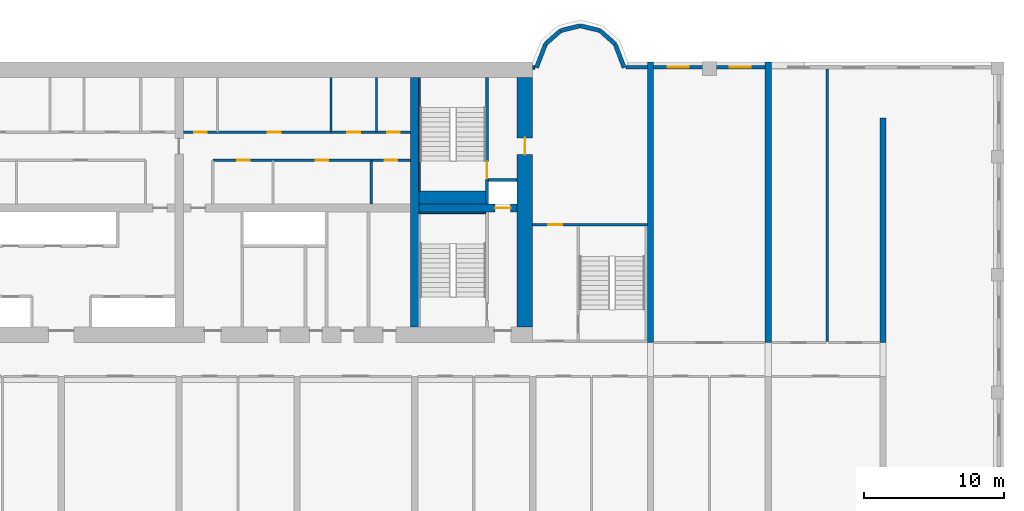
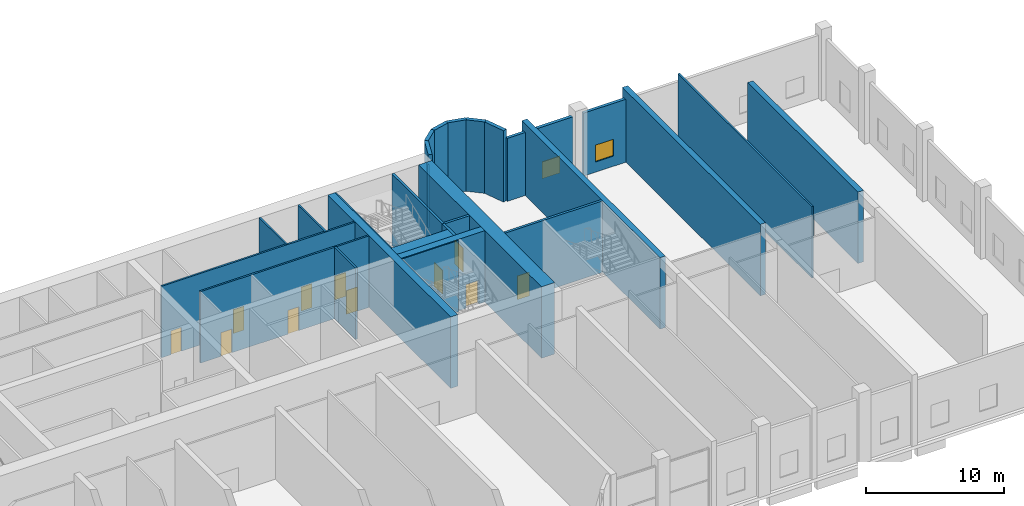
# One storey, part 13 of 15: 29 walls, 11 doors, 2 windows, 13 openings.
"""IFC4 building model written with IfcOpenShell, lengths in metres."""

from ifc_helpers import new_model, si_unit, direction, frame, frame_2d, origin, place, context, subcontext, project, spatial, rectangle, extrude, source, transform, mapped, material, layer, layer_set, type_object, element, fill, save


model = new_model("IFC4")

# Units and contexts
model_context = context("Model", 3, precision=1e-05, world=origin(), true_north=direction((0.0, 1.0)))
body_context = subcontext(model_context, "Body", "Model", "MODEL_VIEW")
ifc_project = project(units=[si_unit("LENGTHUNIT", "METRE"), si_unit("AREAUNIT", "SQUARE_METRE"), si_unit("VOLUMEUNIT", "CUBIC_METRE"), si_unit("PLANEANGLEUNIT", "RADIAN"), si_unit("MASSUNIT", "GRAM", prefix="KILO")], contexts=[model_context])

# Site, building, storey
site_placement = place(None, origin())
site = spatial("IfcSite", under=ifc_project, at=site_placement, CompositionType="ELEMENT")
building_placement = place(site_placement, origin())
building = spatial("IfcBuilding", under=site, at=building_placement, Name="Vanashikhar Sky Hotel", CompositionType="ELEMENT")
storey_placement = place(building_placement, frame((0.0, 0.0, 11.39990234375)))
storey = spatial("IfcBuildingStorey", under=building, at=storey_placement, Name="L02", CompositionType="ELEMENT", Elevation=11.39990234375)

# Wall, opening, door
ifc_material_1 = material(Name="Concrete M80", Category="concrete")
ifc_layer_1 = layer(ifc_material_1, 1.10009765625)
ifc_layer_set_1 = layer_set([ifc_layer_1], Name="RC core shell wall 1100 Concrete M80")
wall_type_1 = type_object("IfcWallType", Name="RC core shell wall 1100 Concrete M80", PredefinedType="SHEAR", material=ifc_layer_set_1)
shared_shape_1 = source(origin(), body_context, "Body", "SweptSolid", [
    extrude(rectangle(XDim=17.7998046875, YDim=1.10009765625, at=frame_2d((8.89990234375, 0.0))), origin(), (0.0, 0.0, 1.0), 6.320068359375),
])
wall_1_placement = place(storey_placement, frame((75.050048828125, 23.10009765625, 0.0), z_axis=(0.0, 0.0, 1.0), x_axis=(0.0, 1.0, 0.0)))
wall_1 = element("IfcWall", 1, at=wall_1_placement, inside=storey, type_object=wall_type_1, Name="KW-L02-KE", PredefinedType="SHEAR", context=body_context, shape_type="MappedRepresentation", body=[
    mapped(shared_shape_1, transform((0.0, 0.0, 0.0), scale=1.0)),
])
shared_shape_2 = source(origin(), body_context, "Body", "SweptSolid", [
    extrude(rectangle(XDim=1.199951171875, YDim=2.10009765625, at=frame_2d((0.60009765625, 1.050048828125))), frame((0.0, 0.56005859375, 0.0), z_axis=(0.0, -1.0, 0.0), x_axis=(1.0, 0.0, 0.0)), (0.0, 0.0, 1.0), 1.1201171875),
])
opening_1_placement = place(wall_1_placement, frame((12.300048828125, 0.0, 0.0)))
opening_1 = element("IfcOpeningElement", 2, at=opening_1_placement, cuts=wall_1, Name="Opening DC-4-D", PredefinedType="OPENING", context=body_context, shape_type="MappedRepresentation", body=[
    mapped(shared_shape_2, transform((0.0, 0.0, 0.0), scale=1.0)),
])
ifc_material_2 = material(Name="Steel", Category="steel")
door_type_1 = type_object("IfcDoorType", Name="Service door 1200 FD120", OperationType="NOTDEFINED", PredefinedType="DOOR", material=ifc_material_2)
shared_shape_3 = source(origin(), body_context, "Body", "SweptSolid", [
    extrude(rectangle(XDim=1.199951171875, YDim=2.10009765625, at=frame_2d((0.60009765625, 1.050048828125))), frame((0.0, 0.02490234375, 0.0), z_axis=(0.0, -1.0, 0.0), x_axis=(1.0, 0.0, 0.0)), (0.0, 0.0, 1.0), 0.050048828125),
])
door_1_placement = place(opening_1_placement, origin())
door_1 = element("IfcDoor", 3, at=door_1_placement, inside=storey, type_object=door_type_1, Name="Service door 1200 FD120", OperationType="SINGLE_SWING_RIGHT", OverallHeight=2.10009765625, OverallWidth=1.199951171875, PredefinedType="DOOR", context=body_context, shape_type="MappedRepresentation", body=[
    mapped(shared_shape_3, transform((0.0, 0.0, 0.0), scale=1.0)),
])
fill(opening_1, door_1)

# Wall
ifc_layer_2 = layer(ifc_material_1, 0.60009765625)
ifc_layer_set_2 = layer_set([ifc_layer_2], Name="RC core inner wall 600 Concrete M80")
wall_type_2 = type_object("IfcWallType", Name="RC core inner wall 600 Concrete M80", PredefinedType="SHEAR", material=ifc_layer_set_2)
shared_shape_4 = source(origin(), body_context, "Body", "SweptSolid", [
    extrude(rectangle(XDim=17.7998046875, YDim=0.60009765625, at=frame_2d((8.89990234375, 0.0))), origin(), (0.0, 0.0, 1.0), 6.320068359375),
])
wall_2_placement = place(storey_placement, frame((67.199951171875, 23.10009765625, 0.0), z_axis=(0.0, 0.0, 1.0), x_axis=(0.0, 1.0, 0.0)))
element("IfcWall", 4, at=wall_2_placement, inside=storey, type_object=wall_type_2, Name="KW-L02-KX3", PredefinedType="SHEAR", context=body_context, shape_type="MappedRepresentation", body=[
    mapped(shared_shape_4, transform((0.0, 0.0, 0.0), scale=1.0)),
])

# Wall, opening, door
shared_shape_5 = source(origin(), body_context, "Body", "SweptSolid", [
    extrude(rectangle(XDim=7.0, YDim=0.60009765625, at=frame_2d((3.5, 0.0))), origin(), (0.0, 0.0, 1.0), 6.320068359375),
])
wall_3_placement = place(storey_placement, frame((67.5, 31.60009765625, 0.0), z_axis=(0.0, 0.0, 1.0), x_axis=(1.0, 0.0, 0.0)))
wall_3 = element("IfcWall", 5, at=wall_3_placement, inside=storey, type_object=wall_type_2, Name="KW-L02-KY4", PredefinedType="SHEAR", context=body_context, shape_type="MappedRepresentation", body=[
    mapped(shared_shape_5, transform((0.0, 0.0, 0.0), scale=1.0)),
])
shared_shape_6 = source(origin(), body_context, "Body", "SweptSolid", [
    extrude(rectangle(XDim=1.10009765625, YDim=2.10009765625, at=frame_2d((0.550048828125, 1.050048828125))), frame((0.0, 0.31005859375, 0.0), z_axis=(0.0, -1.0, 0.0), x_axis=(1.0, 0.0, 0.0)), (0.0, 0.0, 1.0), 0.6201171875),
])
opening_2_placement = place(wall_3_placement, frame((5.425048828125, 0.0, 0.0)))
opening_2 = element("IfcOpeningElement", 6, at=opening_2_placement, cuts=wall_3, Name="Opening LD", PredefinedType="OPENING", context=body_context, shape_type="MappedRepresentation", body=[
    mapped(shared_shape_6, transform((0.0, 0.0, 0.0), scale=1.0)),
])
ifc_material_3 = material(Name="Stainless steel", Category="steel")
door_type_2 = type_object("IfcDoorType", Name="Lift landing door 1100", OperationType="NOTDEFINED", PredefinedType="DOOR", material=ifc_material_3)
shared_shape_7 = source(origin(), body_context, "Body", "SweptSolid", [
    extrude(rectangle(XDim=1.10009765625, YDim=2.10009765625, at=frame_2d((0.550048828125, 1.050048828125))), frame((0.0, 0.02490234375, 0.0), z_axis=(0.0, -1.0, 0.0), x_axis=(1.0, 0.0, 0.0)), (0.0, 0.0, 1.0), 0.050048828125),
])
door_2_placement = place(opening_2_placement, origin())
door_2 = element("IfcDoor", 7, at=door_2_placement, inside=storey, type_object=door_type_2, Name="Lift landing door 1100", OperationType="SLIDING_TO_RIGHT", OverallHeight=2.10009765625, OverallWidth=1.10009765625, PredefinedType="DOOR", context=body_context, shape_type="MappedRepresentation", body=[
    mapped(shared_shape_7, transform((0.0, 0.0, 0.0), scale=1.0)),
])
fill(opening_2, door_2)

# Walls
ifc_layer_3 = layer(ifc_material_1, 0.449951171875)
ifc_layer_set_3 = layer_set([ifc_layer_3], Name="RC shear wall 450 Concrete M80")
wall_type_3 = type_object("IfcWallType", Name="RC shear wall 450 Concrete M80", PredefinedType="SHEAR", material=ifc_layer_set_3)
shared_shape_8 = source(origin(), body_context, "Body", "SweptSolid", [
    extrude(rectangle(XDim=16.0, YDim=0.449951171875, at=frame_2d((8.0, 0.0))), origin(), (0.0, 0.0, 1.0), 6.320068359375),
])
wall_4_placement = place(storey_placement, frame((100.574951171875, 22.0, 0.0), z_axis=(0.0, 0.0, 1.0), x_axis=(0.0, 1.0, 0.0)))
element("IfcWall", 8, at=wall_4_placement, inside=storey, type_object=wall_type_3, Name="CW-L02-XW13-2", PredefinedType="SHEAR", context=body_context, shape_type="MappedRepresentation", body=[
    mapped(shared_shape_8, transform((0.0, 0.0, 0.0), scale=1.0)),
])
shared_shape_9 = source(origin(), body_context, "Body", "SweptSolid", [
    extrude(rectangle(XDim=20.0, YDim=0.449951171875, at=frame_2d((10.0, 0.0))), origin(), (0.0, 0.0, 1.0), 6.320068359375),
])
for number, where, z_axis, x_axis, name in (
    (9, (84.0, 22.0, 0.0), (0.0, 0.0, 1.0), (0.0, 1.0, 0.0), "CW-L02-XW11-2"),
    (10, (92.39990234375, 22.0, 0.0), (0.0, 0.0, 1.0), (0.0, 1.0, 0.0), "CW-L02-XW12-2"),
):
    element("IfcWall", number, at=place(storey_placement, frame(where, z_axis=z_axis, x_axis=x_axis)), inside=storey, type_object=wall_type_3, Name=name, PredefinedType="SHEAR", context=body_context, shape_type="MappedRepresentation", body=[
        mapped(shared_shape_9, transform((0.0, 0.0, 0.0), scale=1.0)),
    ])

# Wall, opening, window
ifc_material_4 = material(Name="Concrete M50", Category="concrete")
ifc_layer_4 = layer(ifc_material_4, 0.25)
ifc_layer_set_4 = layer_set([ifc_layer_4], Name="Rear and end board-marked wall 250")
wall_type_4 = type_object("IfcWallType", Name="Rear and end board-marked wall 250", PredefinedType="SOLIDWALL", material=ifc_layer_set_4)
shared_shape_10 = source(origin(), body_context, "Body", "SweptSolid", [
    extrude(rectangle(XDim=3.525146484375, YDim=0.25, at=frame_2d((1.7626953125, 0.0))), origin(), (0.0, 0.0, 1.0), 5.570068359375),
])
wall_5_placement = place(storey_placement, frame((92.175048828125, 41.625, 0.0), z_axis=(0.0, 0.0, 1.0), x_axis=(-1.0, 0.0, 0.0)))
wall_5 = element("IfcWall", 11, at=wall_5_placement, inside=storey, type_object=wall_type_4, Name="Podium external wall", PredefinedType="SOLIDWALL", context=body_context, shape_type="MappedRepresentation", body=[
    mapped(shared_shape_10, transform((0.0, 0.0, 0.0), scale=1.0)),
])
shared_shape_11 = source(origin(), body_context, "Body", "SweptSolid", [
    extrude(rectangle(XDim=1.5, YDim=1.5, at=frame_2d((0.75, 0.75))), frame((0.0, 0.135009765625, 0.0), z_axis=(0.0, -1.0, 0.0), x_axis=(1.0, 0.0, 0.0)), (0.0, 0.0, 1.0), 0.27001953125),
])
opening_3_placement = place(wall_5_placement, frame((1.012451171875, 0.0, 0.89990234375)))
opening_3 = element("IfcOpeningElement", 12, at=opening_3_placement, cuts=wall_5, Name="Opening WN-1", PredefinedType="OPENING", context=body_context, shape_type="MappedRepresentation", body=[
    mapped(shared_shape_11, transform((0.0, 0.0, 0.0), scale=1.0)),
])
ifc_material_5 = material(Name="Glass", Category="glass")
window_type = type_object("IfcWindowType", Name="Window 1500 x 1500", PartitioningType="SINGLE_PANEL", PredefinedType="WINDOW", material=ifc_material_5)
shared_shape_12 = source(origin(), body_context, "Body", "SweptSolid", [
    extrude(rectangle(XDim=1.5, YDim=1.5, at=frame_2d((0.75, 0.75))), frame((0.0, 0.030029296875, 0.0), z_axis=(0.0, -1.0, 0.0), x_axis=(1.0, 0.0, 0.0)), (0.0, 0.0, 1.0), 0.06005859375),
])
window_1_placement = place(opening_3_placement, origin())
window_1 = element("IfcWindow", 13, at=window_1_placement, inside=storey, type_object=window_type, Name="Window WN-1", OverallHeight=1.5, OverallWidth=1.5, PartitioningType="SINGLE_PANEL", PredefinedType="WINDOW", context=body_context, shape_type="MappedRepresentation", body=[
    mapped(shared_shape_12, transform((0.0, 0.0, 0.0), scale=1.0)),
])
fill(opening_3, window_1)

shared_shape_13 = source(origin(), body_context, "Body", "SweptSolid", [
    extrude(rectangle(XDim=3.52490234375, YDim=0.25, at=frame_2d((1.762451171875, 0.0))), origin(), (0.0, 0.0, 1.0), 5.570068359375),
])
wall_6_placement = place(storey_placement, frame((87.75, 41.625, 0.0), z_axis=(0.0, 0.0, 1.0), x_axis=(-1.0, 0.0, 0.0)))
wall_6 = element("IfcWall", 14, at=wall_6_placement, inside=storey, type_object=wall_type_4, Name="Podium external wall", PredefinedType="SOLIDWALL", context=body_context, shape_type="MappedRepresentation", body=[
    mapped(shared_shape_13, transform((0.0, 0.0, 0.0), scale=1.0)),
])
opening_4_placement = place(wall_6_placement, frame((1.012451171875, 0.0, 0.89990234375)))
opening_4 = element("IfcOpeningElement", 15, at=opening_4_placement, cuts=wall_6, Name="Opening WN-1", PredefinedType="OPENING", context=body_context, shape_type="MappedRepresentation", body=[
    mapped(shared_shape_11, transform((0.0, 0.0, 0.0), scale=1.0)),
])
window_2_placement = place(opening_4_placement, origin())
window_2 = element("IfcWindow", 16, at=window_2_placement, inside=storey, type_object=window_type, Name="Window WN-1", OverallHeight=1.5, OverallWidth=1.5, PartitioningType="SINGLE_PANEL", PredefinedType="WINDOW", context=body_context, shape_type="MappedRepresentation", body=[
    mapped(shared_shape_12, transform((0.0, 0.0, 0.0), scale=1.0)),
])
fill(opening_4, window_2)

# Walls
shared_shape_14 = source(origin(), body_context, "Body", "SweptSolid", [
    extrude(rectangle(XDim=1.5126953125, YDim=0.25, at=frame_2d((0.75634765625, 0.0))), origin(), (0.0, 0.0, 1.0), 5.570068359375),
])
wall_7_placement = place(storey_placement, frame((83.77490234375, 41.625, 0.0), z_axis=(0.0, 0.0, 1.0), x_axis=(-1.0, 0.0, 0.0)))
element("IfcWall", 17, at=wall_7_placement, inside=storey, type_object=wall_type_4, Name="Podium external wall", PredefinedType="SOLIDWALL", context=body_context, shape_type="MappedRepresentation", body=[
    mapped(shared_shape_14, transform((0.0, 0.0, 0.0), scale=1.0)),
])
ifc_layer_5 = layer(ifc_material_4, 0.300048828125)
ifc_layer_set_5 = layer_set([ifc_layer_5], Name="Lobe wall 300")
wall_type_5 = type_object("IfcWallType", Name="Lobe wall 300", PredefinedType="SOLIDWALL", material=ifc_layer_set_5)
shared_shape_15 = source(origin(), body_context, "Body", "SweptSolid", [
    extrude(rectangle(XDim=1.81201171875, YDim=0.300048828125, at=frame_2d((0.906005859375, 0.0))), origin(), (0.0, 0.0, 1.0), 6.320068359375),
])
for number, where, z_axis, x_axis, name in (
    (18, (82.125, 41.60009765625, 0.0), (0.0, 0.0, 1.0), (-0.357877270961, 0.93376863244, 0.0), "Lobe wall"),
    (19, (76.5234375, 43.2919921875, 0.0), (0.0, 0.0, 1.0), (-0.357877270961, -0.93376863244, 0.0), "Lobe wall"),
):
    element("IfcWall", number, at=place(storey_placement, frame(where, z_axis=z_axis, x_axis=x_axis)), inside=storey, type_object=wall_type_5, Name=name, PredefinedType="SOLIDWALL", context=body_context, shape_type="MappedRepresentation", body=[
        mapped(shared_shape_15, transform((0.0, 0.0, 0.0), scale=1.0)),
    ])
shared_shape_16 = source(origin(), body_context, "Body", "SweptSolid", [
    extrude(rectangle(XDim=1.43994140625, YDim=0.300048828125, at=frame_2d((0.719970703125, 0.0))), origin(), (0.0, 0.0, 1.0), 6.320068359375),
])
for number, where, z_axis, x_axis, name in (
    (20, (81.4765625, 43.2919921875, 0.0), (0.0, 0.0, 1.0), (-0.74957555648, 0.661918790432, 0.0), "Lobe wall"),
    (21, (77.602783203125, 44.2451171875, 0.0), (0.0, 0.0, 1.0), (-0.74957555648, -0.661918790432, 0.0), "Lobe wall"),
):
    element("IfcWall", number, at=place(storey_placement, frame(where, z_axis=z_axis, x_axis=x_axis)), inside=storey, type_object=wall_type_5, Name=name, PredefinedType="SOLIDWALL", context=body_context, shape_type="MappedRepresentation", body=[
        mapped(shared_shape_16, transform((0.0, 0.0, 0.0), scale=1.0)),
    ])
shared_shape_17 = source(origin(), body_context, "Body", "SweptSolid", [
    extrude(rectangle(XDim=1.438720703125, YDim=0.300048828125, at=frame_2d((0.71923828125, 0.0))), origin(), (0.0, 0.0, 1.0), 6.320068359375),
])
for number, where, z_axis, x_axis, name in (
    (22, (80.397216796875, 44.2451171875, 0.0), (0.0, 0.0, 1.0), (-0.971161932466, 0.238420848351, 0.0), "Lobe wall"),
    (23, (79.0, 44.588134765625, 0.0), (0.0, 0.0, 1.0), (-0.971161932466, -0.238420848351, 0.0), "Lobe wall"),
):
    element("IfcWall", number, at=place(storey_placement, frame(where, z_axis=z_axis, x_axis=x_axis)), inside=storey, type_object=wall_type_5, Name=name, PredefinedType="SOLIDWALL", context=body_context, shape_type="MappedRepresentation", body=[
        mapped(shared_shape_17, transform((0.0, 0.0, 0.0), scale=1.0)),
    ])
shared_shape_18 = source(origin(), body_context, "Body", "SweptSolid", [
    extrude(rectangle(XDim=0.1376953125, YDim=0.25, at=frame_2d((0.06884765625, 0.0))), origin(), (0.0, 0.0, 1.0), 5.570068359375),
])
wall_8_placement = place(storey_placement, frame((75.73779296875, 41.625, 0.0), z_axis=(0.0, 0.0, 1.0), x_axis=(-1.0, 0.0, 0.0)))
element("IfcWall", 24, at=wall_8_placement, inside=storey, type_object=wall_type_4, Name="Podium external wall", PredefinedType="SOLIDWALL", context=body_context, shape_type="MappedRepresentation", body=[
    mapped(shared_shape_18, transform((0.0, 0.0, 0.0), scale=1.0)),
])
ifc_material_6 = material(Name="Gypsum board partition")
ifc_layer_6 = layer(ifc_material_6, 0.14990234375)
ifc_layer_set_6 = layer_set([ifc_layer_6], Name="Service partition 150")
wall_type_6 = type_object("IfcWallType", Name="Service partition 150", PredefinedType="PARTITIONING", material=ifc_layer_set_6)
shared_shape_19 = source(origin(), body_context, "Body", "SweptSolid", [
    extrude(rectangle(XDim=3.10009765625, YDim=0.14990234375, at=frame_2d((1.550048828125, 0.0))), origin(), (0.0, 0.0, 1.0), 6.320068359375),
])
wall_9_placement = place(storey_placement, frame((64.094970703125, 31.89990234375, 0.0), z_axis=(0.0, 0.0, 1.0), x_axis=(0.0, 1.0, 0.0)))
element("IfcWall", 25, at=wall_9_placement, inside=storey, type_object=wall_type_6, Name="Service partition 150", PredefinedType="PARTITIONING", context=body_context, shape_type="MappedRepresentation", body=[
    mapped(shared_shape_19, transform((0.0, 0.0, 0.0), scale=1.0)),
])
shared_shape_20 = source(origin(), body_context, "Body", "SweptSolid", [
    extrude(rectangle(XDim=3.89990234375, YDim=0.14990234375, at=frame_2d((1.949951171875, 0.0))), origin(), (0.0, 0.0, 1.0), 6.320068359375),
])
for number, where, z_axis, x_axis, name in (
    (26, (64.469970703125, 37.0, 0.0), (0.0, 0.0, 1.0), (0.0, 1.0, 0.0), "Service partition 150"),
    (27, (61.22998046875, 37.0, 0.0), (0.0, 0.0, 1.0), (0.0, 1.0, 0.0), "Service partition 150"),
):
    element("IfcWall", number, at=place(storey_placement, frame(where, z_axis=z_axis, x_axis=x_axis)), inside=storey, type_object=wall_type_6, Name=name, PredefinedType="PARTITIONING", context=body_context, shape_type="MappedRepresentation", body=[
        mapped(shared_shape_20, transform((0.0, 0.0, 0.0), scale=1.0)),
    ])

# Wall, openings, doors
shared_shape_21 = source(origin(), body_context, "Body", "SweptSolid", [
    extrude(rectangle(XDim=14.099853515625, YDim=0.14990234375, at=frame_2d((7.0498046875, 0.0))), origin(), (0.0, 0.0, 1.0), 6.320068359375),
])
wall_10_placement = place(storey_placement, frame((66.89990234375, 35.0, 0.0), z_axis=(0.0, 0.0, 1.0), x_axis=(-1.0, 0.0, 0.0)))
wall_10 = element("IfcWall", 28, at=wall_10_placement, inside=storey, type_object=wall_type_6, Name="Service partition 150", PredefinedType="PARTITIONING", context=body_context, shape_type="MappedRepresentation", body=[
    mapped(shared_shape_21, transform((0.0, 0.0, 0.0), scale=1.0)),
])
shared_shape_22 = source(origin(), body_context, "Body", "SweptSolid", [
    extrude(rectangle(XDim=0.89990234375, YDim=2.10009765625, at=frame_2d((0.449951171875, 1.050048828125))), frame((0.0, 0.0849609375, 0.0), z_axis=(0.0, -1.0, 0.0), x_axis=(1.0, 0.0, 0.0)), (0.0, 0.0, 1.0), 0.169921875),
])
opening_5_placement = place(wall_10_placement, frame((0.951904296875, 0.0, 0.0)))
opening_5 = element("IfcOpeningElement", 29, at=opening_5_placement, cuts=wall_10, Name="Opening DC-4-A", PredefinedType="OPENING", context=body_context, shape_type="MappedRepresentation", body=[
    mapped(shared_shape_22, transform((0.0, 0.0, 0.0), scale=1.0)),
])
opening_6_placement = place(wall_10_placement, frame((5.861083984375, 0.0, 0.0)))
opening_6 = element("IfcOpeningElement", 30, at=opening_6_placement, cuts=wall_10, Name="Opening DC-4-A", PredefinedType="OPENING", context=body_context, shape_type="MappedRepresentation", body=[
    mapped(shared_shape_22, transform((0.0, 0.0, 0.0), scale=1.0)),
])
opening_7_placement = place(wall_10_placement, frame((11.470947265625, 0.0, 0.0)))
opening_7 = element("IfcOpeningElement", 31, at=opening_7_placement, cuts=wall_10, Name="Opening DC-4-A", PredefinedType="OPENING", context=body_context, shape_type="MappedRepresentation", body=[
    mapped(shared_shape_22, transform((0.0, 0.0, 0.0), scale=1.0)),
])
door_type_3 = type_object("IfcDoorType", Name="Service door 900 FD60", OperationType="NOTDEFINED", PredefinedType="DOOR", material=ifc_material_2)
shared_shape_23 = source(origin(), body_context, "Body", "SweptSolid", [
    extrude(rectangle(XDim=0.89990234375, YDim=2.10009765625, at=frame_2d((0.449951171875, 1.050048828125))), frame((0.0, 0.02490234375, 0.0), z_axis=(0.0, -1.0, 0.0), x_axis=(1.0, 0.0, 0.0)), (0.0, 0.0, 1.0), 0.050048828125),
])
door_3_placement = place(opening_5_placement, origin())
door_3 = element("IfcDoor", 32, at=door_3_placement, inside=storey, type_object=door_type_3, Name="Service door 900 FD60", OperationType="SINGLE_SWING_RIGHT", OverallHeight=2.10009765625, OverallWidth=0.89990234375, PredefinedType="DOOR", context=body_context, shape_type="MappedRepresentation", body=[
    mapped(shared_shape_23, transform((0.0, 0.0, 0.0), scale=1.0)),
])
fill(opening_5, door_3)
door_4_placement = place(opening_6_placement, origin())
door_4 = element("IfcDoor", 33, at=door_4_placement, inside=storey, type_object=door_type_3, Name="Service door 900 FD60", OperationType="SINGLE_SWING_RIGHT", OverallHeight=2.10009765625, OverallWidth=0.89990234375, PredefinedType="DOOR", context=body_context, shape_type="MappedRepresentation", body=[
    mapped(shared_shape_23, transform((0.0, 0.0, 0.0), scale=1.0)),
])
fill(opening_6, door_4)
door_5_placement = place(opening_7_placement, origin())
door_5 = element("IfcDoor", 34, at=door_5_placement, inside=storey, type_object=door_type_3, Name="Service door 900 FD60", OperationType="SINGLE_SWING_LEFT", OverallHeight=2.10009765625, OverallWidth=0.89990234375, PredefinedType="DOOR", context=body_context, shape_type="MappedRepresentation", body=[
    mapped(shared_shape_23, transform((0.0, 0.0, 0.0), scale=1.0)),
])
fill(opening_7, door_5)

shared_shape_24 = source(origin(), body_context, "Body", "SweptSolid", [
    extrude(rectangle(XDim=16.199951171875, YDim=0.14990234375, at=frame_2d((8.10009765625, 0.0))), origin(), (0.0, 0.0, 1.0), 6.320068359375),
])
wall_11_placement = place(storey_placement, frame((66.89990234375, 37.0, 0.0), z_axis=(0.0, 0.0, 1.0), x_axis=(-1.0, 0.0, 0.0)))
wall_11 = element("IfcWall", 35, at=wall_11_placement, inside=storey, type_object=wall_type_6, Name="Service partition 150", PredefinedType="PARTITIONING", context=body_context, shape_type="MappedRepresentation", body=[
    mapped(shared_shape_24, transform((0.0, 0.0, 0.0), scale=1.0)),
])
opening_8_placement = place(wall_11_placement, frame((0.764892578125, 0.0, 0.0)))
opening_8 = element("IfcOpeningElement", 36, at=opening_8_placement, cuts=wall_11, Name="Opening DC-4-A", PredefinedType="OPENING", context=body_context, shape_type="MappedRepresentation", body=[
    mapped(shared_shape_22, transform((0.0, 0.0, 0.0), scale=1.0)),
])
opening_9_placement = place(wall_11_placement, frame((3.60009765625, 0.0, 0.0)))
opening_9 = element("IfcOpeningElement", 37, at=opening_9_placement, cuts=wall_11, Name="Opening DC-4-A", PredefinedType="OPENING", context=body_context, shape_type="MappedRepresentation", body=[
    mapped(shared_shape_22, transform((0.0, 0.0, 0.0), scale=1.0)),
])
opening_10_placement = place(wall_11_placement, frame((9.27001953125, 0.0, 0.0)))
opening_10 = element("IfcOpeningElement", 38, at=opening_10_placement, cuts=wall_11, Name="Opening DC-4-A", PredefinedType="OPENING", context=body_context, shape_type="MappedRepresentation", body=[
    mapped(shared_shape_22, transform((0.0, 0.0, 0.0), scale=1.0)),
])
opening_11_placement = place(wall_11_placement, frame((14.534912109375, 0.0, 0.0)))
opening_11 = element("IfcOpeningElement", 39, at=opening_11_placement, cuts=wall_11, Name="Opening DC-4-A", PredefinedType="OPENING", context=body_context, shape_type="MappedRepresentation", body=[
    mapped(shared_shape_22, transform((0.0, 0.0, 0.0), scale=1.0)),
])
door_6_placement = place(opening_8_placement, origin())
door_6 = element("IfcDoor", 40, at=door_6_placement, inside=storey, type_object=door_type_3, Name="Service door 900 FD60", OperationType="SINGLE_SWING_LEFT", OverallHeight=2.10009765625, OverallWidth=0.89990234375, PredefinedType="DOOR", context=body_context, shape_type="MappedRepresentation", body=[
    mapped(shared_shape_23, transform((0.0, 0.0, 0.0), scale=1.0)),
])
fill(opening_8, door_6)
door_7_placement = place(opening_9_placement, origin())
door_7 = element("IfcDoor", 41, at=door_7_placement, inside=storey, type_object=door_type_3, Name="Service door 900 FD60", OperationType="SINGLE_SWING_LEFT", OverallHeight=2.10009765625, OverallWidth=0.89990234375, PredefinedType="DOOR", context=body_context, shape_type="MappedRepresentation", body=[
    mapped(shared_shape_23, transform((0.0, 0.0, 0.0), scale=1.0)),
])
fill(opening_9, door_7)
door_8_placement = place(opening_10_placement, origin())
door_8 = element("IfcDoor", 42, at=door_8_placement, inside=storey, type_object=door_type_3, Name="Service door 900 FD60", OperationType="SINGLE_SWING_RIGHT", OverallHeight=2.10009765625, OverallWidth=0.89990234375, PredefinedType="DOOR", context=body_context, shape_type="MappedRepresentation", body=[
    mapped(shared_shape_23, transform((0.0, 0.0, 0.0), scale=1.0)),
])
fill(opening_10, door_8)
door_9_placement = place(opening_11_placement, origin())
door_9 = element("IfcDoor", 43, at=door_9_placement, inside=storey, type_object=door_type_3, Name="Service door 900 FD60", OperationType="SINGLE_SWING_RIGHT", OverallHeight=2.10009765625, OverallWidth=0.89990234375, PredefinedType="DOOR", context=body_context, shape_type="MappedRepresentation", body=[
    mapped(shared_shape_23, transform((0.0, 0.0, 0.0), scale=1.0)),
])
fill(opening_11, door_9)

# Wall
ifc_material_7 = material(Name="Concrete M40", Category="concrete")
ifc_layer_7 = layer(ifc_material_7, 0.199951171875)
ifc_layer_set_7 = layer_set([ifc_layer_7], Name="Shaft wall 200")
wall_type_7 = type_object("IfcWallType", Name="Shaft wall 200", PredefinedType="SOLIDWALL", material=ifc_layer_set_7)
shared_shape_25 = source(origin(), body_context, "Body", "SweptSolid", [
    extrude(rectangle(XDim=1.7001953125, YDim=0.199951171875, at=frame_2d((0.85009765625, 0.0))), origin(), (0.0, 0.0, 1.0), 6.320068359375),
])
wall_12_placement = place(storey_placement, frame((72.35009765625, 31.89990234375, 0.0), z_axis=(0.0, 0.0, 1.0), x_axis=(0.0, 1.0, 0.0)))
element("IfcWall", 44, at=wall_12_placement, inside=storey, type_object=wall_type_7, Name="Shaft wall 200", PredefinedType="SOLIDWALL", context=body_context, shape_type="MappedRepresentation", body=[
    mapped(shared_shape_25, transform((0.0, 0.0, 0.0), scale=1.0)),
])

# Wall, opening, door
ifc_layer_8 = layer(ifc_material_4, 0.199951171875)
ifc_layer_set_8 = layer_set([ifc_layer_8], Name="Stair wall 200")
wall_type_8 = type_object("IfcWallType", Name="Stair wall 200", PredefinedType="SOLIDWALL", material=ifc_layer_set_8)
shared_shape_26 = source(origin(), body_context, "Body", "SweptSolid", [
    extrude(rectangle(XDim=7.2998046875, YDim=0.199951171875, at=frame_2d((3.64990234375, 0.0))), origin(), (0.0, 0.0, 1.0), 6.320068359375),
])
wall_13_placement = place(storey_placement, frame((72.35009765625, 33.60009765625, 0.0), z_axis=(0.0, 0.0, 1.0), x_axis=(0.0, 1.0, 0.0)))
wall_13 = element("IfcWall", 45, at=wall_13_placement, inside=storey, type_object=wall_type_8, Name="Stair wall 200", PredefinedType="SOLIDWALL", context=body_context, shape_type="MappedRepresentation", body=[
    mapped(shared_shape_26, transform((0.0, 0.0, 0.0), scale=1.0)),
])
shared_shape_27 = source(origin(), body_context, "Body", "SweptSolid", [
    extrude(rectangle(XDim=1.199951171875, YDim=2.10009765625, at=frame_2d((0.60009765625, 1.050048828125))), frame((0.0, 0.10986328125, 0.0), z_axis=(0.0, -1.0, 0.0), x_axis=(1.0, 0.0, 0.0)), (0.0, 0.0, 1.0), 0.219970703125),
])
opening_12_placement = place(wall_13_placement, frame((0.10009765625, 0.0, 0.0)))
opening_12 = element("IfcOpeningElement", 46, at=opening_12_placement, cuts=wall_13, Name="Opening DC-1", PredefinedType="OPENING", context=body_context, shape_type="MappedRepresentation", body=[
    mapped(shared_shape_27, transform((0.0, 0.0, 0.0), scale=1.0)),
])
door_type_4 = type_object("IfcDoorType", Name="Stair door 1200 FD120", OperationType="NOTDEFINED", PredefinedType="DOOR", material=ifc_material_2)
door_10_placement = place(opening_12_placement, origin())
door_10 = element("IfcDoor", 47, at=door_10_placement, inside=storey, type_object=door_type_4, Name="Stair door 1200 FD120", OperationType="SINGLE_SWING_RIGHT", OverallHeight=2.10009765625, OverallWidth=1.199951171875, PredefinedType="DOOR", context=body_context, shape_type="MappedRepresentation", body=[
    mapped(shared_shape_3, transform((0.0, 0.0, 0.0), scale=1.0)),
])
fill(opening_12, door_10)

# Wall
shared_shape_28 = source(origin(), body_context, "Body", "SweptSolid", [
    extrude(rectangle(XDim=2.050048828125, YDim=0.199951171875, at=frame_2d((1.02490234375, 0.0))), origin(), (0.0, 0.0, 1.0), 6.320068359375),
])
wall_14_placement = place(storey_placement, frame((72.449951171875, 33.60009765625, 0.0), z_axis=(0.0, 0.0, 1.0), x_axis=(1.0, 0.0, 0.0)))
element("IfcWall", 48, at=wall_14_placement, inside=storey, type_object=wall_type_7, Name="Shaft wall 200", PredefinedType="SOLIDWALL", context=body_context, shape_type="MappedRepresentation", body=[
    mapped(shared_shape_28, transform((0.0, 0.0, 0.0), scale=1.0)),
])

# Wall, opening, door
shared_shape_29 = source(origin(), body_context, "Body", "SweptSolid", [
    extrude(rectangle(XDim=8.1748046875, YDim=0.199951171875, at=frame_2d((4.08740234375, 0.0))), origin(), (0.0, 0.0, 1.0), 6.320068359375),
])
wall_15_placement = place(storey_placement, frame((83.77490234375, 30.39990234375, 0.0), z_axis=(0.0, 0.0, 1.0), x_axis=(-1.0, 0.0, 0.0)))
wall_15 = element("IfcWall", 49, at=wall_15_placement, inside=storey, type_object=wall_type_8, Name="Stair wall 200", PredefinedType="SOLIDWALL", context=body_context, shape_type="MappedRepresentation", body=[
    mapped(shared_shape_29, transform((0.0, 0.0, 0.0), scale=1.0)),
])
shared_shape_30 = source(origin(), body_context, "Body", "SweptSolid", [
    extrude(rectangle(XDim=1.0, YDim=2.10009765625, at=frame_2d((0.5, 1.050048828125))), frame((0.0, 0.10986328125, 0.0), z_axis=(0.0, -1.0, 0.0), x_axis=(1.0, 0.0, 0.0)), (0.0, 0.0, 1.0), 0.219970703125),
])
opening_13_placement = place(wall_15_placement, frame((6.074951171875, 0.0, 0.0)))
opening_13 = element("IfcOpeningElement", 50, at=opening_13_placement, cuts=wall_15, Name="Opening DC-6", PredefinedType="OPENING", context=body_context, shape_type="MappedRepresentation", body=[
    mapped(shared_shape_30, transform((0.0, 0.0, 0.0), scale=1.0)),
])
door_type_5 = type_object("IfcDoorType", Name="Pocket door 1000 FD60", OperationType="NOTDEFINED", PredefinedType="DOOR", material=ifc_material_2)
shared_shape_31 = source(origin(), body_context, "Body", "SweptSolid", [
    extrude(rectangle(XDim=1.0, YDim=2.10009765625, at=frame_2d((0.5, 1.050048828125))), frame((0.0, 0.02490234375, 0.0), z_axis=(0.0, -1.0, 0.0), x_axis=(1.0, 0.0, 0.0)), (0.0, 0.0, 1.0), 0.050048828125),
])
door_11_placement = place(opening_13_placement, origin())
door_11 = element("IfcDoor", 51, at=door_11_placement, inside=storey, type_object=door_type_5, Name="Pocket door 1000 FD60", OperationType="SINGLE_SWING_RIGHT", OverallHeight=2.10009765625, OverallWidth=1.0, PredefinedType="DOOR", context=body_context, shape_type="MappedRepresentation", body=[
    mapped(shared_shape_31, transform((0.0, 0.0, 0.0), scale=1.0)),
])
fill(opening_13, door_11)

# Walls
ifc_layer_9 = layer(ifc_material_4, 0.10009765625)
ifc_layer_set_9 = layer_set([ifc_layer_9], Name="Stair infill wall 100")
wall_type_9 = type_object("IfcWallType", Name="Stair infill wall 100", PredefinedType="SOLIDWALL", material=ifc_layer_set_9)
shared_shape_32 = source(origin(), body_context, "Body", "SweptSolid", [
    extrude(rectangle(XDim=4.75, YDim=0.10009765625, at=frame_2d((2.375, 0.0))), origin(), (0.0, 0.0, 1.0), 6.320068359375),
])
wall_16_placement = place(storey_placement, frame((67.5, 31.25, 0.0), z_axis=(0.0, 0.0, 1.0), x_axis=(1.0, 0.0, 0.0)))
element("IfcWall", 52, at=wall_16_placement, inside=storey, type_object=wall_type_9, Name="Stair infill wall 100", PredefinedType="SOLIDWALL", context=body_context, shape_type="MappedRepresentation", body=[
    mapped(shared_shape_32, transform((0.0, 0.0, 0.0), scale=1.0)),
])
shared_shape_33 = source(origin(), body_context, "Body", "SweptSolid", [
    extrude(rectangle(XDim=8.099853515625, YDim=0.10009765625, at=frame_2d((4.0498046875, 0.0))), origin(), (0.0, 0.0, 1.0), 6.320068359375),
])
wall_17_placement = place(storey_placement, frame((67.550048828125, 32.800048828125, 0.0), z_axis=(0.0, 0.0, 1.0), x_axis=(0.0, 1.0, 0.0)))
element("IfcWall", 53, at=wall_17_placement, inside=storey, type_object=wall_type_9, Name="Stair infill wall 100", PredefinedType="SOLIDWALL", context=body_context, shape_type="MappedRepresentation", body=[
    mapped(shared_shape_33, transform((0.0, 0.0, 0.0), scale=1.0)),
])
ifc_layer_10 = layer(ifc_material_4, 0.89990234375)
ifc_layer_set_10 = layer_set([ifc_layer_10], Name="Stair infill wall 900")
wall_type_10 = type_object("IfcWallType", Name="Stair infill wall 900", PredefinedType="SOLIDWALL", material=ifc_layer_set_10)
shared_shape_34 = source(origin(), body_context, "Body", "SweptSolid", [
    extrude(rectangle(XDim=4.75, YDim=0.89990234375, at=frame_2d((2.375, 0.0))), origin(), (0.0, 0.0, 1.0), 6.320068359375),
])
wall_18_placement = place(storey_placement, frame((67.5, 32.35009765625, 0.0), z_axis=(0.0, 0.0, 1.0), x_axis=(1.0, 0.0, 0.0)))
element("IfcWall", 54, at=wall_18_placement, inside=storey, type_object=wall_type_10, Name="Stair infill wall 900", PredefinedType="SOLIDWALL", context=body_context, shape_type="MappedRepresentation", body=[
    mapped(shared_shape_34, transform((0.0, 0.0, 0.0), scale=1.0)),
])
ifc_material_8 = material(Name="Gypsum plasterboard partition")
ifc_layer_11 = layer(ifc_material_8, 0.14990234375)
ifc_layer_set_11 = layer_set([ifc_layer_11], Name="Corridor and demising partition 150")
wall_type_11 = type_object("IfcWallType", Name="Corridor and demising partition 150", PredefinedType="PARTITIONING", material=ifc_layer_set_11)
shared_shape_35 = source(origin(), body_context, "Body", "SweptSolid", [
    extrude(rectangle(XDim=19.425048828125, YDim=0.14990234375, at=frame_2d((9.71240234375, 0.0))), origin(), (0.0, 0.0, 1.0), 6.320068359375),
])
wall_19_placement = place(storey_placement, frame((96.60009765625, 22.074951171875, 0.0), z_axis=(0.0, 0.0, 1.0), x_axis=(0.0, 1.0, 0.0)))
element("IfcWall", 55, at=wall_19_placement, inside=storey, type_object=wall_type_11, Name="W-L02-PW030", PredefinedType="PARTITIONING", context=body_context, shape_type="MappedRepresentation", body=[
    mapped(shared_shape_35, transform((0.0, 0.0, 0.0), scale=1.0)),
])

save(model, "model.ifc")
